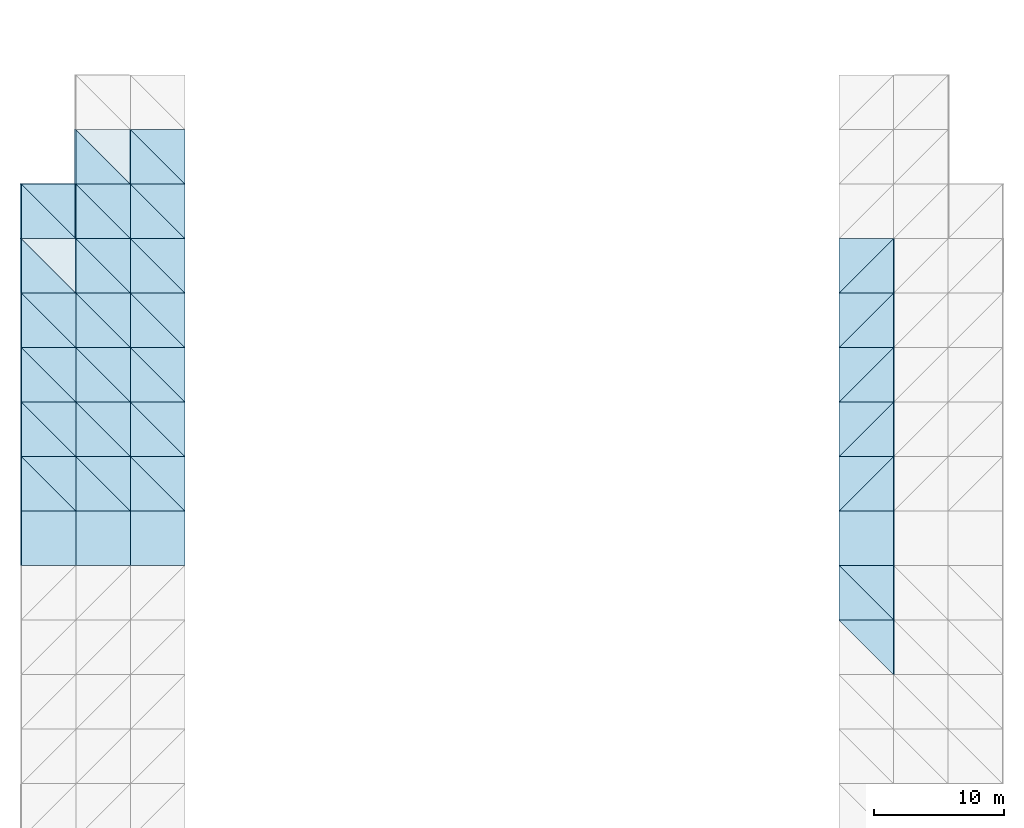
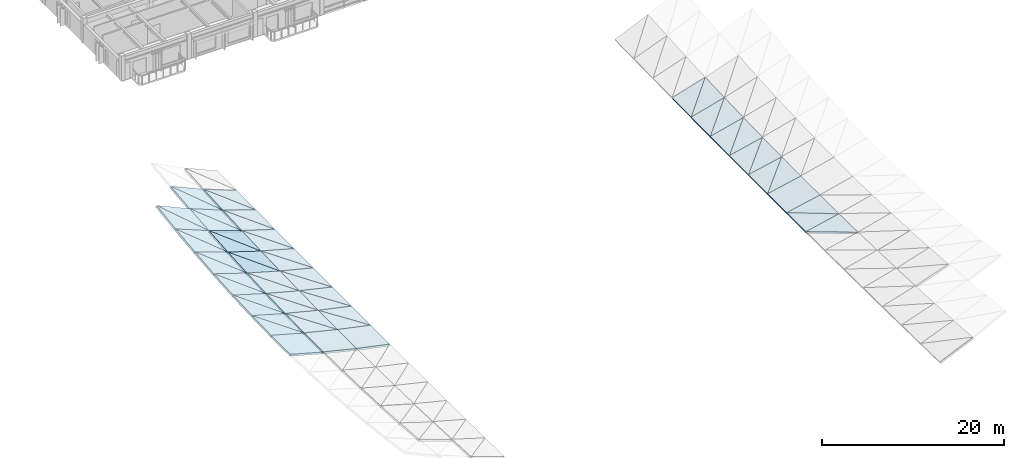
# One storey, part 9 of 24: 57 slabs.
"""IFC4 building model written with IfcOpenShell, lengths in metres."""

from ifc_helpers import new_model, si_unit, direction, frame, origin, place, context, subcontext, project, spatial, polyline, outline, extrude, material, layer, layer_set, type_object, element, save


model = new_model("IFC4")

# Units and contexts
model_context = context("Model", 3, precision=1e-05, world=origin(), true_north=direction((0.0, 1.0)))
body_context = subcontext(model_context, "Body", "Model", "MODEL_VIEW")
ifc_project = project(units=[si_unit("LENGTHUNIT", "METRE"), si_unit("AREAUNIT", "SQUARE_METRE"), si_unit("VOLUMEUNIT", "CUBIC_METRE"), si_unit("PLANEANGLEUNIT", "RADIAN"), si_unit("MASSUNIT", "GRAM", prefix="KILO")], contexts=[model_context])

# Site, building, storey
site_placement = place(None, origin())
site = spatial("IfcSite", under=ifc_project, at=site_placement, CompositionType="ELEMENT")
building_placement = place(site_placement, origin())
building = spatial("IfcBuilding", under=site, at=building_placement, Name="Cumbredor Promenade Congress Hotel", CompositionType="ELEMENT")
storey_placement = place(building_placement, frame((0.0, 0.0, 35.280029296875)))
storey = spatial("IfcBuildingStorey", under=building, at=storey_placement, Name="L10", CompositionType="ELEMENT", Elevation=35.280029296875)

# Slabs
ifc_material = material(Name="Concrete C40/50", Category="concrete")
ifc_layer = layer(ifc_material, 0.25, Name="Concrete C40/50", Category="concrete")
ifc_layer_set = layer_set([ifc_layer], Name="Concrete C40/50")
slab_type = type_object("IfcSlabType", Name="Catenary Space Frame Roof Deck 250mm", PredefinedType="ROOF", material=ifc_layer_set)
slab_1_placement = place(storey_placement, frame((-4.199951171875, 33.60009765625, 3.232666015625), z_axis=(0.265946954374, 0.0, 0.963987664578), x_axis=(0.963987664578, 0.0, -0.265946954374)))
element("IfcSlab", 1, at=slab_1_placement, inside=storey, type_object=slab_type, Name="Plenary Congress Hall Sweeping Roof Deck Facet 1.9", PredefinedType="ROOF", context=body_context, shape_type="SweptSolid", body=[
    extrude(outline(polyline([(0.0, 0.0), (4.356851572070339, 0.0), (4.356851572070339, 4.199951171875), (0.0, 4.199951171875), (0.0, 0.0)])), origin(), (0.0, 0.0, -1.0), 0.25),
])
slab_2_placement = place(storey_placement, frame((-4.199951171875, 37.800048828125, 3.232666015625), z_axis=(0.265873330645, -0.023528613331, 0.963720797953), x_axis=(0.963987664578, 0.0, -0.265946954374)))
element("IfcSlab", 2, at=slab_2_placement, inside=storey, type_object=slab_type, Name="Plenary Congress Hall Sweeping Roof Deck Facet 1.10.1", PredefinedType="ROOF", context=body_context, shape_type="SweptSolid", body=[
    extrude(outline(polyline([(0.0, 0.0), (4.356851572070339, 3.469446951953614e-18), (-0.027269951376200682, 4.201114192119099), (0.0, 0.0)])), origin(), (0.0, 0.0, -1.0), 0.25),
])
slab_3_placement = place(storey_placement, frame((0.0, 37.800048828125, 2.073974609375), z_axis=(0.27349250288, -0.015318263653, 0.961752151891), x_axis=(0.0, 0.999873182225, 0.015925434629)))
element("IfcSlab", 3, at=slab_3_placement, inside=storey, type_object=slab_type, Name="Plenary Congress Hall Sweeping Roof Deck Facet 1.10.2", PredefinedType="ROOF", context=body_context, shape_type="SweptSolid", body=[
    extrude(outline(polyline([(0.0, 0.0), (4.2004838678949055, -6.938893903907228e-18), (4.2195041867931025, 4.3664248997557715), (0.0, 0.0)])), origin(), (0.0, 0.0, -1.0), 0.25),
])
slab_4_placement = place(storey_placement, frame((-4.199951171875, 42.0, 3.335205078125), z_axis=(0.273224130767, -0.046859167153, 0.960808405885), x_axis=(0.96186500894, 0.0, -0.273524595927)))
element("IfcSlab", 4, at=slab_4_placement, inside=storey, type_object=slab_type, Name="Plenary Congress Hall Sweeping Roof Deck Facet 1.11.1", PredefinedType="ROOF", context=body_context, shape_type="SweptSolid", body=[
    extrude(outline(polyline([(0.0, 0.0), (4.366466326188511, 6.938893903907228e-18), (-0.05602713280830973, 4.204569867141989), (0.0, 0.0)])), origin(), (0.0, 0.0, -1.0), 0.25),
])
slab_5_placement = place(storey_placement, frame((0.0, 42.0, 2.140869140625), z_axis=(0.28829058045, -0.030542556671, 0.957055742084), x_axis=(0.0, 0.999491167619, 0.031896800036)))
element("IfcSlab", 5, at=slab_5_placement, inside=storey, type_object=slab_type, Name="Plenary Congress Hall Sweeping Roof Deck Facet 1.11.2", PredefinedType="ROOF", context=body_context, shape_type="SweptSolid", body=[
    extrude(outline(polyline([(0.0, 0.0), (4.202089330996443, -6.938893903907228e-18), (4.242443143932853, 4.386175137069335), (0.0, 0.0)])), origin(), (0.0, 0.0, -1.0), 0.25),
])
slab_6_placement = place(storey_placement, frame((-4.199951171875, 46.199951171875, 3.5400390625), z_axis=(0.287720702689, -0.069848059433, 0.955163884283), x_axis=(0.957502448296, 0.0, -0.288425140212)))
element("IfcSlab", 6, at=slab_6_placement, inside=storey, type_object=slab_type, Name="Plenary Congress Hall Sweeping Roof Deck Facet 1.12.1", PredefinedType="ROOF", context=body_context, shape_type="SweptSolid", body=[
    extrude(outline(polyline([(0.0, 0.0), (4.386360765288658, -1.3877787807814457e-17), (-0.08858369784839869, 4.210234071837814), (0.0, 0.0)])), origin(), (0.0, 0.0, -1.0), 0.25),
])
slab_7_placement = place(storey_placement, frame((0.0, 46.199951171875, 2.27490234375), z_axis=(0.310066019111, -0.045430716348, 0.949628934798), x_axis=(0.0, 0.998857604206, 0.047785840159)))
element("IfcSlab", 7, at=slab_7_placement, inside=storey, type_object=slab_type, Name="Plenary Congress Hall Sweeping Roof Deck Facet 1.12.2", PredefinedType="ROOF", context=body_context, shape_type="SweptSolid", body=[
    extrude(outline(polyline([(0.0, 0.0), (4.204754665919911, 6.938893903907228e-18), (4.2702851991658, 4.417676222360634), (0.0, 0.0)])), origin(), (0.0, 0.0, -1.0), 0.25),
])
slab_8_placement = place(storey_placement, frame((-4.199951171875, 50.39990234375, 3.84716796875), z_axis=(0.309059321068, -0.092376791502, 0.94654575402), x_axis=(0.950610447719, 0.0, -0.31038649566)))
element("IfcSlab", 8, at=slab_8_placement, inside=storey, type_object=slab_type, Name="Plenary Congress Hall Sweeping Roof Deck Facet 1.13.1", PredefinedType="ROOF", context=body_context, shape_type="SweptSolid", body=[
    extrude(outline(polyline([(0.0, 0.0), (4.4181622261295495, -1.3877787807814457e-17), (-0.12723118315743667, 4.2182319550484175), (0.0, 0.0)])), origin(), (0.0, 0.0, -1.0), 0.25),
])
slab_9_placement = place(storey_placement, frame((0.0, 50.39990234375, 2.475830078125), z_axis=(0.338348277812, -0.059936239892, 0.939110265118), x_axis=(0.0, 0.997969553596, 0.063692778996)))
element("IfcSlab", 9, at=slab_9_placement, inside=storey, type_object=slab_type, Name="Plenary Congress Hall Sweeping Roof Deck Facet 1.13.2", PredefinedType="ROOF", context=body_context, shape_type="SweptSolid", body=[
    extrude(outline(polyline([(0.0, 0.0), (4.208740935399418, -2.7755575615628914e-17), (4.305119803616576, 4.463185582998934), (0.0, 0.0)])), origin(), (0.0, 0.0, -1.0), 0.25),
])
slab_10_placement = place(storey_placement, frame((-4.199951171875, 54.60009765625, 4.257080078125), z_axis=(0.336750452483, -0.113934446411, 0.934675384651), x_axis=(0.940801631192, 0.0, -0.338957653324)))
element("IfcSlab", 10, at=slab_10_placement, inside=storey, type_object=slab_type, Name="Plenary Congress Hall Sweeping Roof Deck Facet 1.14.1", PredefinedType="ROOF", context=body_context, shape_type="SweptSolid", body=[
    extrude(outline(polyline([(0.0, 0.0), (4.464226073411645, 5.551115123125783e-17), (-0.17353373999505817, 4.227479377666391), (0.0, 0.0)])), origin(), (0.0, 0.0, -1.0), 0.25),
])
slab_11_placement = place(storey_placement, frame((0.0, 54.60009765625, 2.743896484375), z_axis=(0.372315421461, -0.073785462696, 0.925168596763), x_axis=(0.0, 0.99683477873, 0.079501093787)))
element("IfcSlab", 11, at=slab_11_placement, inside=storey, type_object=slab_type, Name="Plenary Congress Hall Sweeping Roof Deck Facet 1.14.2", PredefinedType="ROOF", context=body_context, shape_type="SweptSolid", body=[
    extrude(outline(polyline([(0.0, 0.0), (4.213287158002059, 1.3877787807814457e-17), (4.347658757681646, 4.525291294734393), (0.0, 0.0)])), origin(), (0.0, 0.0, -1.0), 0.25),
])
slab_12_placement = place(storey_placement, frame((-4.199951171875, 58.800048828125, 4.76904296875), z_axis=(0.369938178331, -0.134552120907, 0.919261372501), x_axis=(0.927697372163, 0.0, -0.373333076061)))
element("IfcSlab", 12, at=slab_12_placement, inside=storey, type_object=slab_type, Name="Plenary Congress Hall Sweeping Roof Deck Facet 1.15.1", PredefinedType="ROOF", context=body_context, shape_type="SweptSolid", body=[
    extrude(outline(polyline([(0.0, 0.0), (4.527285834691613, 0.0), (-0.22950505017646855, 4.238493840724388), (0.0, 0.0)])), origin(), (0.0, 0.0, -1.0), 0.25),
])
slab_13_placement = place(storey_placement, frame((0.0, 58.800048828125, 3.078857421875), z_axis=(0.411167038919, -0.086822443369, 0.907415852536), x_axis=(0.0, 0.995453765838, 0.095245997708)))
element("IfcSlab", 13, at=slab_13_placement, inside=storey, type_object=slab_type, Name="Plenary Congress Hall Sweeping Roof Deck Facet 1.15.2", PredefinedType="ROOF", context=body_context, shape_type="SweptSolid", body=[
    extrude(outline(polyline([(0.0, 0.0), (4.2191323354332555, 2.7755575615628914e-17), (4.400392724137619, 4.607432412263835), (0.0, 0.0)])), origin(), (0.0, 0.0, -1.0), 0.25),
])
slab_14_placement = place(storey_placement, frame((0.0, 33.60009765625, 2.073974609375), z_axis=(0.236537490812, 0.0, 0.971622362567), x_axis=(0.971622362567, 0.0, -0.236537490812)))
element("IfcSlab", 14, at=slab_14_placement, inside=storey, type_object=slab_type, Name="Plenary Congress Hall Sweeping Roof Deck Facet 2.9", PredefinedType="ROOF", context=body_context, shape_type="SweptSolid", body=[
    extrude(outline(polyline([(0.0, 0.0), (4.322616824892945, 0.0), (4.322616824892945, 4.199951171875), (0.0, 4.199951171875), (0.0, 0.0)])), origin(), (0.0, 0.0, -1.0), 0.25),
])
slab_15_placement = place(storey_placement, frame((0.0, 37.800048828125, 2.073974609375), z_axis=(0.236509171692, -0.015473618205, 0.971506036443), x_axis=(0.971622362567, 0.0, -0.236537490812)))
element("IfcSlab", 15, at=slab_15_placement, inside=storey, type_object=slab_type, Name="Plenary Congress Hall Sweeping Roof Deck Facet 2.10.1", PredefinedType="ROOF", context=body_context, shape_type="SweptSolid", body=[
    extrude(outline(polyline([(0.0, 0.0), (4.322616824892945, 0.0), (-0.01582306457089034, 4.200454065344952), (0.0, 0.0)])), origin(), (0.0, 0.0, -1.0), 0.25),
])
slab_16_placement = place(storey_placement, frame((4.199951171875, 37.800048828125, 1.051513671875), z_axis=(0.243336544081, -0.008231495699, 0.969906989764), x_axis=(0.0, 0.999963988279, 0.008486586194)))
element("IfcSlab", 16, at=slab_16_placement, inside=storey, type_object=slab_type, Name="Plenary Congress Hall Sweeping Roof Deck Facet 2.10.2", PredefinedType="ROOF", context=body_context, shape_type="SweptSolid", body=[
    extrude(outline(polyline([(0.0, 0.0), (4.200102424791831, -1.734723475976807e-18), (4.209044833486078, 4.330105843887429), (0.0, 0.0)])), origin(), (0.0, 0.0, -1.0), 0.25),
])
slab_17_placement = place(storey_placement, frame((0.0, 42.0, 2.140869140625), z_axis=(0.243228293779, -0.030938909473, 0.969475518508), x_axis=(0.969939850681, 0.0, -0.24334478844)))
element("IfcSlab", 17, at=slab_17_placement, inside=storey, type_object=slab_type, Name="Plenary Congress Hall Sweeping Roof Deck Facet 2.11.1", PredefinedType="ROOF", context=body_context, shape_type="SweptSolid", body=[
    extrude(outline(polyline([(0.0, 0.0), (4.330115077678804, 6.938893903907228e-18), (-0.03261628145843193, 4.201962746605205), (0.0, 0.0)])), origin(), (0.0, 0.0, -1.0), 0.25),
])
slab_18_placement = place(storey_placement, frame((4.199951171875, 42.0, 1.087158203125), z_axis=(0.256816551653, -0.016458278573, 0.966320021454), x_axis=(0.0, 0.999854988518, 0.017029443215)))
element("IfcSlab", 18, at=slab_18_placement, inside=storey, type_object=slab_type, Name="Plenary Congress Hall Sweeping Roof Deck Facet 2.11.2", PredefinedType="ROOF", context=body_context, shape_type="SweptSolid", body=[
    extrude(outline(polyline([(0.0, 0.0), (4.200560301350703, 3.469446951953614e-18), (4.219568752127343, 4.345705395206616), (0.0, 0.0)])), origin(), (0.0, 0.0, -1.0), 0.25),
])
slab_19_placement = place(storey_placement, frame((0.0, 46.199951171875, 2.27490234375), z_axis=(0.256577242509, -0.046186148422, 0.965419576309), x_axis=(0.966450923984, 0.0, -0.256851341304)))
element("IfcSlab", 19, at=slab_19_placement, inside=storey, type_object=slab_type, Name="Plenary Congress Hall Sweeping Roof Deck Facet 2.12.1", PredefinedType="ROOF", context=body_context, shape_type="SweptSolid", body=[
    extrude(outline(polyline([(0.0, 0.0), (4.345746967223105, 6.938893903907228e-18), (-0.05160855807943676, 4.204437935956269), (0.0, 0.0)])), origin(), (0.0, 0.0, -1.0), 0.25),
])
slab_20_placement = place(storey_placement, frame((4.199951171875, 46.199951171875, 1.15869140625), z_axis=(0.27674721727, -0.024514130021, 0.960630019915), x_axis=(0.0, 0.999674554241, 0.025510499873)))
element("IfcSlab", 20, at=slab_20_placement, inside=storey, type_object=slab_type, Name="Plenary Congress Hall Sweeping Roof Deck Facet 2.12.2", PredefinedType="ROOF", context=body_context, shape_type="SweptSolid", body=[
    extrude(outline(polyline([(0.0, 0.0), (4.201318473155771, 3.469446951953614e-18), (4.2321851814979485, 4.370656994403266), (0.0, 0.0)])), origin(), (0.0, 0.0, -1.0), 0.25),
])
slab_21_placement = place(storey_placement, frame((0.0, 50.39990234375, 2.475830078125), z_axis=(0.276311274717, -0.061213104278, 0.959116799628), x_axis=(0.96091879181, 0.0, -0.276830409359)))
element("IfcSlab", 21, at=slab_21_placement, inside=storey, type_object=slab_type, Name="Plenary Congress Hall Sweeping Roof Deck Facet 2.13.1", PredefinedType="ROOF", context=body_context, shape_type="SweptSolid", body=[
    extrude(outline(polyline([(0.0, 0.0), (4.370765987376819, 2.7755575615628914e-17), (-0.07420893297771115, 4.208086654950569), (0.0, 0.0)])), origin(), (0.0, 0.0, -1.0), 0.25),
])
slab_22_placement = place(storey_placement, frame((4.199951171875, 50.39990234375, 1.265869140625), z_axis=(0.302809179907, -0.032388567125, 0.952500698836), x_axis=(0.0, 0.999422374374, 0.033984078645)))
element("IfcSlab", 22, at=slab_22_placement, inside=storey, type_object=slab_type, Name="Plenary Congress Hall Sweeping Roof Deck Facet 2.13.2", PredefinedType="ROOF", context=body_context, shape_type="SweptSolid", body=[
    extrude(outline(polyline([(0.0, 0.0), (4.202622855159053, 0.0), (4.247998569541257, 4.406847341504953), (0.0, 0.0)])), origin(), (0.0, 0.0, -1.0), 0.25),
])
slab_23_placement = place(storey_placement, frame((0.0, 54.60009765625, 2.743896484375), z_axis=(0.302096813544, -0.075786584052, 0.950259916509), x_axis=(0.953000688043, 0.0, -0.302968131309)))
element("IfcSlab", 23, at=slab_23_placement, inside=storey, type_object=slab_type, Name="Plenary Congress Hall Sweeping Roof Deck Facet 2.14.1", PredefinedType="ROOF", context=body_context, shape_type="SweptSolid", body=[
    extrude(outline(polyline([(0.0, 0.0), (4.407080943979243, 1.3877787807814457e-17), (-0.10148248929589372, 4.21206481195997), (0.0, 0.0)])), origin(), (0.0, 0.0, -1.0), 0.25),
])
slab_24_placement = place(storey_placement, frame((4.199951171875, 54.60009765625, 1.40869140625), z_axis=(0.334419623445, -0.040009941856, 0.941574596093), x_axis=(0.0, 0.999098410723, 0.04245427764)))
element("IfcSlab", 24, at=slab_24_placement, inside=storey, type_object=slab_type, Name="Plenary Congress Hall Sweeping Roof Deck Facet 2.14.2", PredefinedType="ROOF", context=body_context, shape_type="SweptSolid", body=[
    extrude(outline(polyline([(0.0, 0.0), (4.203741219880335, -6.938893903907228e-18), (4.267070232668337, 4.456539671257605), (0.0, 0.0)])), origin(), (0.0, 0.0, -1.0), 0.25),
])
slab_25_placement = place(storey_placement, frame((0.0, 58.800048828125, 3.078857421875), z_axis=(0.333335453959, -0.089798716402, 0.93852206456), x_axis=(0.942329136276, 0.0, -0.334687613942)))
element("IfcSlab", 25, at=slab_25_placement, inside=storey, type_object=slab_type, Name="Plenary Congress Hall Sweeping Roof Deck Facet 2.15.1", PredefinedType="ROOF", context=body_context, shape_type="SweptSolid", body=[
    extrude(outline(polyline([(0.0, 0.0), (4.456989612435006, 0.0), (-0.13449604798546777, 4.216988081199039), (0.0, 0.0)])), origin(), (0.0, 0.0, -1.0), 0.25),
])
slab_26_placement = place(storey_placement, frame((4.199951171875, 58.800048828125, 1.587158203125), z_axis=(0.370825600811, -0.047337144157, 0.92749531997), x_axis=(0.0, 0.998700120129, 0.050971266958)))
element("IfcSlab", 26, at=slab_26_placement, inside=storey, type_object=slab_type, Name="Plenary Congress Hall Sweeping Roof Deck Facet 2.15.2", PredefinedType="ROOF", context=body_context, shape_type="SweptSolid", body=[
    extrude(outline(polyline([(0.0, 0.0), (4.205417709706994, 0.0), (4.291008621361016, 4.522385881172351), (0.0, 0.0)])), origin(), (0.0, 0.0, -1.0), 0.25),
])
slab_27_placement = place(storey_placement, frame((0.0, 63.0, 3.480712890625), z_axis=(0.369264178227, -0.103080433585, 0.923589947374), x_axis=(0.928536237843, 0.0, -0.371241774335)))
element("IfcSlab", 27, at=slab_27_placement, inside=storey, type_object=slab_type, Name="Plenary Congress Hall Sweeping Roof Deck Facet 2.16.1", PredefinedType="ROOF", context=body_context, shape_type="SweptSolid", body=[
    extrude(outline(polyline([(0.0, 0.0), (4.523195757689998, 2.7755575615628914e-17), (-0.17401958171959558, 4.222444030867943), (0.0, 0.0)])), origin(), (0.0, 0.0, -1.0), 0.25),
])
slab_28_placement = place(storey_placement, frame((4.199951171875, 63.0, 1.801513671875), z_axis=(0.411197951808, -0.054163455448, 0.909935472725), x_axis=(0.0, 0.998233110761, 0.059419328339)))
element("IfcSlab", 28, at=slab_28_placement, inside=storey, type_object=slab_type, Name="Plenary Congress Hall Sweeping Roof Deck Facet 2.16.2", PredefinedType="ROOF", context=body_context, shape_type="SweptSolid", body=[
    extrude(outline(polyline([(0.0, 0.0), (4.207385155430173, 0.0), (4.320160023230216, 4.607502893355642), (0.0, 0.0)])), origin(), (0.0, 0.0, -1.0), 0.25),
])
slab_29_placement = place(storey_placement, frame((4.199951171875, 33.60009765625, 1.051513671875), z_axis=(0.206408909101, 0.0, 0.978465820683), x_axis=(0.978465820683, 0.0, -0.206408909101)))
element("IfcSlab", 29, at=slab_29_placement, inside=storey, type_object=slab_type, Name="Plenary Congress Hall Sweeping Roof Deck Facet 3.9", PredefinedType="ROOF", context=body_context, shape_type="SweptSolid", body=[
    extrude(outline(polyline([(0.0, 0.0), (4.292384141681474, 0.0), (4.292384141681474, 4.199951171875001), (0.0, 4.199951171875001), (0.0, 0.0)])), origin(), (0.0, 0.0, -1.0), 0.25),
])
slab_30_placement = place(storey_placement, frame((4.199951171875, 37.800048828125, 1.051513671875), z_axis=(0.20640179263, -0.008303847265, 0.978432085594), x_axis=(0.978465820683, 0.0, -0.206408909101)))
element("IfcSlab", 30, at=slab_30_placement, inside=storey, type_object=slab_type, Name="Plenary Congress Hall Sweeping Roof Deck Facet 3.10.1", PredefinedType="ROOF", context=body_context, shape_type="SweptSolid", body=[
    extrude(outline(polyline([(0.0, 0.0), (4.292384141681474, 0.0), (-0.007357348810713182, 4.2000959808271885), (0.0, 0.0)])), origin(), (0.0, 0.0, -1.0), 0.25),
])
slab_31_placement = place(storey_placement, frame((8.39990234375, 37.800048828125, 0.16552734375), z_axis=(0.212441015617, -0.001988084371, 0.977171869429), x_axis=(0.0, 0.999997930353, 0.00203452465)))
element("IfcSlab", 31, at=slab_31_placement, inside=storey, type_object=slab_type, Name="Plenary Congress Hall Sweeping Roof Deck Facet 3.10.2", PredefinedType="ROOF", context=body_context, shape_type="SweptSolid", body=[
    extrude(outline(polyline([(0.0, 0.0), (4.19995986431109, 4.336808689942018e-19), (4.201817560158948, 4.298059134581628), (0.0, 0.0)])), origin(), (0.0, 0.0, -1.0), 0.25),
])
slab_32_placement = place(storey_placement, frame((4.199951171875, 42.0, 1.087158203125), z_axis=(0.212412019054, -0.016640834648, 0.97703849299), x_axis=(0.977173800561, 0.0, -0.212441435453)))
element("IfcSlab", 32, at=slab_32_placement, inside=storey, type_object=slab_type, Name="Plenary Congress Hall Sweeping Roof Deck Facet 3.11.1", PredefinedType="ROOF", context=body_context, shape_type="SweptSolid", body=[
    extrude(outline(polyline([(0.0, 0.0), (4.298059536045824, 0.0), (-0.015196616354425528, 4.200532812410216), (0.0, 0.0)])), origin(), (0.0, 0.0, -1.0), 0.25),
])
slab_33_placement = place(storey_placement, frame((8.39990234375, 42.0, 0.174072265625), z_axis=(0.224431548464, -0.004021867729, 0.974481556847), x_axis=(0.0, 0.999991483272, 0.004127151968)))
element("IfcSlab", 33, at=slab_33_placement, inside=storey, type_object=slab_type, Name="Plenary Congress Hall Sweeping Roof Deck Facet 3.11.2", PredefinedType="ROOF", context=body_context, shape_type="SweptSolid", body=[
    extrude(outline(polyline([(0.0, 0.0), (4.199986942021189, -4.336808689942018e-19), (4.203979074857806, 4.309897270528752), (0.0, 0.0)])), origin(), (0.0, 0.0, -1.0), 0.25),
])
slab_34_placement = place(storey_placement, frame((4.199951171875, 46.199951171875, 1.15869140625), z_axis=(0.224364000125, -0.024860120155, 0.974188262028), x_axis=(0.974489438266, 0.0, -0.224433363623)))
element("IfcSlab", 34, at=slab_34_placement, inside=storey, type_object=slab_type, Name="Plenary Congress Hall Sweeping Roof Deck Facet 3.12.1", PredefinedType="ROOF", context=body_context, shape_type="SweptSolid", body=[
    extrude(outline(polyline([(0.0, 0.0), (4.309899119426785, 0.0), (-0.02405425943130454, 4.201249612375245), (0.0, 0.0)])), origin(), (0.0, 0.0, -1.0), 0.25),
])
slab_35_placement = place(storey_placement, frame((8.39990234375, 46.199951171875, 0.19140625), z_axis=(0.242226070658, -0.005978105586, 0.970201418751), x_axis=(0.0, 0.999981017169, 0.006161599013)))
element("IfcSlab", 35, at=slab_35_placement, inside=storey, type_object=slab_type, Name="Plenary Congress Hall Sweeping Roof Deck Facet 3.12.2", PredefinedType="ROOF", context=body_context, shape_type="SweptSolid", body=[
    extrude(outline(polyline([(0.0, 0.0), (4.200030900353339, 0.0), (4.206491854396465, 4.328865495080066), (0.0, 0.0)])), origin(), (0.0, 0.0, -1.0), 0.25),
])
slab_36_placement = place(storey_placement, frame((4.199951171875, 50.39990234375, 1.265869140625), z_axis=(0.242098683697, -0.032973107731, 0.969691188739), x_axis=(0.970218755622, 0.0, -0.242230399081)))
element("IfcSlab", 36, at=slab_36_placement, inside=storey, type_object=slab_type, Name="Plenary Congress Hall Sweeping Roof Deck Facet 3.13.1", PredefinedType="ROOF", context=body_context, shape_type="SweptSolid", body=[
    extrude(outline(polyline([(0.0, 0.0), (4.328870316655599, 0.0), (-0.03459589440004978, 4.202480456444253), (0.0, 0.0)])), origin(), (0.0, 0.0, -1.0), 0.25),
])
slab_37_placement = place(storey_placement, frame((8.39990234375, 50.39990234375, 0.21728515625), z_axis=(0.265626301846, -0.007845046558, 0.964044149929), x_axis=(0.0, 0.999966891032, 0.00813737298)))
element("IfcSlab", 37, at=slab_37_placement, inside=storey, type_object=slab_type, Name="Plenary Congress Hall Sweeping Roof Deck Facet 3.13.2", PredefinedType="ROOF", context=body_context, shape_type="SweptSolid", body=[
    extrude(outline(polyline([(0.0, 0.0), (4.200334381234972, -1.734723475976807e-18), (4.20975116539617, 4.356452052676101), (0.0, 0.0)])), origin(), (0.0, 0.0, -1.0), 0.25),
])
slab_38_placement = place(storey_placement, frame((4.199951171875, 54.60009765625, 1.40869140625), z_axis=(0.265411860785, -0.040931660387, 0.963265873647), x_axis=(0.964073817229, 0.0, -0.265634476177)))
element("IfcSlab", 38, at=slab_38_placement, inside=storey, type_object=slab_type, Name="Plenary Congress Hall Sweeping Roof Deck Facet 3.14.1", PredefinedType="ROOF", context=body_context, shape_type="SweptSolid", body=[
    extrude(outline(polyline([(0.0, 0.0), (4.356462230192035, 6.938893903907228e-18), (-0.04740693410279796, 4.203473899802398), (0.0, 0.0)])), origin(), (0.0, 0.0, -1.0), 0.25),
])
slab_39_placement = place(storey_placement, frame((8.39990234375, 54.60009765625, 0.25146484375), z_axis=(0.294110669038, -0.009833318553, 0.955720785692), x_axis=(0.0, 0.999947073439, 0.010288358542)))
element("IfcSlab", 39, at=slab_39_placement, inside=storey, type_object=slab_type, Name="Plenary Congress Hall Sweeping Roof Deck Facet 3.14.2", PredefinedType="ROOF", context=body_context, shape_type="SweptSolid", body=[
    extrude(outline(polyline([(0.0, 0.0), (4.200173472614002, 1.734723475976807e-18), (4.213470975085079, 4.39430526757785), (0.0, 0.0)])), origin(), (0.0, 0.0, -1.0), 0.25),
])
slab_40_placement = place(storey_placement, frame((4.199951171875, 58.800048828125, 1.587158203125), z_axis=(0.293775578441, -0.048722130312, 0.954631899493), x_axis=(0.95576699535, 0.0, -0.29412488946)))
element("IfcSlab", 40, at=slab_40_placement, inside=storey, type_object=slab_type, Name="Plenary Congress Hall Sweeping Roof Deck Facet 3.15.1", PredefinedType="ROOF", context=body_context, shape_type="SweptSolid", body=[
    extrude(outline(polyline([(0.0, 0.0), (4.3943253871594905, 6.938893903907228e-18), (-0.06304727855126187, 4.204945083325643), (0.0, 0.0)])), origin(), (0.0, 0.0, -1.0), 0.25),
])
slab_41_placement = place(storey_placement, frame((8.39990234375, 58.800048828125, 0.294677734375), z_axis=(0.327339266425, -0.01164361149, 0.944835134279), x_axis=(0.0, 0.99992407516, 0.012322496305)))
element("IfcSlab", 41, at=slab_41_placement, inside=storey, type_object=slab_type, Name="Plenary Congress Hall Sweeping Roof Deck Facet 3.15.2", PredefinedType="ROOF", context=body_context, shape_type="SweptSolid", body=[
    extrude(outline(polyline([(0.0, 0.0), (4.2002700767080405, 0.0), (4.218200271526757, 4.444830784642028), (0.0, 0.0)])), origin(), (0.0, 0.0, -1.0), 0.25),
])
slab_42_placement = place(storey_placement, frame((4.199951171875, 63.0, 1.801513671875), z_axis=(0.326844885667, -0.056155899819, 0.943408149015), x_axis=(0.944899188184, 0.0, -0.327361457977)))
element("IfcSlab", 42, at=slab_42_placement, inside=storey, type_object=slab_type, Name="Plenary Congress Hall Sweeping Roof Deck Facet 3.16.1", PredefinedType="ROOF", context=body_context, shape_type="SweptSolid", body=[
    extrude(outline(polyline([(0.0, 0.0), (4.444866949188435, 0.0), (-0.08184036449424405, 4.20658911719146), (0.0, 0.0)])), origin(), (0.0, 0.0, -1.0), 0.25),
])
slab_43_placement = place(storey_placement, frame((8.39990234375, 63.0, 0.346435546875), z_axis=(0.364619815794, -0.013368130399, 0.93106051523), x_axis=(0.0, 0.999896940415, 0.014356481095)))
element("IfcSlab", 43, at=slab_43_placement, inside=storey, type_object=slab_type, Name="Plenary Congress Hall Sweeping Roof Deck Facet 3.16.2", PredefinedType="ROOF", context=body_context, shape_type="SweptSolid", body=[
    extrude(outline(polyline([(0.0, 0.0), (4.200384061714749, 0.0), (4.223997248516269, 4.510467641957859), (0.0, 0.0)])), origin(), (0.0, 0.0, -1.0), 0.25),
])
slab_44_placement = place(storey_placement, frame((63.0, 25.199951171875, 1.15869140625), z_axis=(-0.212412019054, 0.016640834648, 0.97703849299), x_axis=(0.0, 0.999854988518, -0.017029443215)))
element("IfcSlab", 44, at=slab_44_placement, inside=storey, type_object=slab_type, Name="Plenary Congress Hall Sweeping Roof Deck Facet 16.7.2", PredefinedType="ROOF", context=body_context, shape_type="SweptSolid", body=[
    extrude(outline(polyline([(0.0, 0.0), (4.200560301350703, 1.734723475976807e-18), (4.216109646474202, 4.298031409059345), (0.0, 0.0)])), origin(), (0.0, 0.0, -1.0), 0.25),
])
slab_45_placement = place(storey_placement, frame((58.800048828125, 29.39990234375, 0.174072265625), z_axis=(-0.212441015666, 0.001987968812, 0.977171869654), x_axis=(0.977173800561, 0.0, 0.212441435453)))
element("IfcSlab", 45, at=slab_45_placement, inside=storey, type_object=slab_type, Name="Plenary Congress Hall Sweeping Roof Deck Facet 16.8.1", PredefinedType="ROOF", context=body_context, shape_type="SweptSolid", body=[
    extrude(outline(polyline([(0.0, 0.0), (4.298059536045824, -2.168404344971009e-19), (-0.0018152954689586809, 4.200203612152533), (0.0, 0.0)])), origin(), (0.0, 0.0, -1.0), 0.25),
])
slab_46_placement = place(storey_placement, frame((63.0, 29.39990234375, 1.087158203125), z_axis=(-0.206401793458, 0.008303364629, 0.978432089515), x_axis=(0.0, 0.999963992465, -0.008486092938)))
element("IfcSlab", 46, at=slab_46_placement, inside=storey, type_object=slab_type, Name="Plenary Congress Hall Sweeping Roof Deck Facet 16.8.2", PredefinedType="ROOF", context=body_context, shape_type="SweptSolid", body=[
    extrude(outline(polyline([(0.0, 0.0), (4.200346556625418, -1.734723475976807e-18), (4.207865118947404, 4.292377556900048), (0.0, 0.0)])), origin(), (0.0, 0.0, -1.0), 0.25),
])
slab_47_placement = place(storey_placement, frame((58.800048828125, 33.60009765625, 0.16552734375), z_axis=(-0.206408909101, 0.0, 0.978465820683), x_axis=(0.978465820683, 0.0, 0.206408909101)))
element("IfcSlab", 47, at=slab_47_placement, inside=storey, type_object=slab_type, Name="Plenary Congress Hall Sweeping Roof Deck Facet 16.9", PredefinedType="ROOF", context=body_context, shape_type="SweptSolid", body=[
    extrude(outline(polyline([(0.0, 0.0), (4.292384141681474, 0.0), (4.292384141681474, 4.199951171875001), (0.0, 4.199951171875001), (0.0, 0.0)])), origin(), (0.0, 0.0, -1.0), 0.25),
])
slab_48_placement = place(storey_placement, frame((58.800048828125, 37.800048828125, 0.16552734375), z_axis=(-0.20640179263, -0.008303847265, 0.978432085594), x_axis=(0.978465820683, 0.0, 0.206408909101)))
element("IfcSlab", 48, at=slab_48_placement, inside=storey, type_object=slab_type, Name="Plenary Congress Hall Sweeping Roof Deck Facet 16.10.1", PredefinedType="ROOF", context=body_context, shape_type="SweptSolid", body=[
    extrude(outline(polyline([(0.0, 0.0), (4.292384141681474, 0.0), (4.299741490492187, 4.2000959808271885), (0.0, 0.0)])), origin(), (0.0, 0.0, -1.0), 0.25),
])
slab_49_placement = place(storey_placement, frame((58.800048828125, 37.800048828125, 0.16552734375), z_axis=(-0.212441015617, -0.001988084371, 0.977171869429), x_axis=(0.698745101566, 0.698745101566, 0.153331556032)))
element("IfcSlab", 49, at=slab_49_placement, inside=storey, type_object=slab_type, Name="Plenary Congress Hall Sweeping Roof Deck Facet 16.10.2", PredefinedType="ROOF", context=body_context, shape_type="SweptSolid", body=[
    extrude(outline(polyline([(0.0, 0.0), (6.010705710082692, 2.7755575615628914e-17), (2.9360055143312533, 3.003253982206718), (0.0, 0.0)])), origin(), (0.0, 0.0, -1.0), 0.25),
])
slab_50_placement = place(storey_placement, frame((58.800048828125, 42.0, 0.174072265625), z_axis=(-0.212412019054, -0.016640834648, 0.97703849299), x_axis=(0.977173800561, 0.0, 0.212441435453)))
element("IfcSlab", 50, at=slab_50_placement, inside=storey, type_object=slab_type, Name="Plenary Congress Hall Sweeping Roof Deck Facet 16.11.1", PredefinedType="ROOF", context=body_context, shape_type="SweptSolid", body=[
    extrude(outline(polyline([(0.0, 0.0), (4.298059536045824, 0.0), (4.31325615240025, 4.200532812410216), (0.0, 0.0)])), origin(), (0.0, 0.0, -1.0), 0.25),
])
slab_51_placement = place(storey_placement, frame((58.800048828125, 42.0, 0.174072265625), z_axis=(-0.224431548464, -0.004021867729, 0.974481556847), x_axis=(0.697586866805, 0.697586866805, 0.163539373006)))
element("IfcSlab", 51, at=slab_51_placement, inside=storey, type_object=slab_type, Name="Plenary Congress Hall Sweeping Roof Deck Facet 16.11.2", PredefinedType="ROOF", context=body_context, shape_type="SweptSolid", body=[
    extrude(outline(polyline([(0.0, 0.0), (6.020685554349562, -8.326672684688674e-17), (2.9326655676573736, 3.0065533391951247), (0.0, 0.0)])), origin(), (0.0, 0.0, -1.0), 0.25),
])
slab_52_placement = place(storey_placement, frame((58.800048828125, 46.199951171875, 0.19140625), z_axis=(-0.224364000125, -0.024860120155, 0.974188262028), x_axis=(0.974489438266, 0.0, 0.224433363623)))
element("IfcSlab", 52, at=slab_52_placement, inside=storey, type_object=slab_type, Name="Plenary Congress Hall Sweeping Roof Deck Facet 16.12.1", PredefinedType="ROOF", context=body_context, shape_type="SweptSolid", body=[
    extrude(outline(polyline([(0.0, 0.0), (4.309899119426785, 0.0), (4.333953378858089, 4.201249612375245), (0.0, 0.0)])), origin(), (0.0, 0.0, -1.0), 0.25),
])
slab_53_placement = place(storey_placement, frame((58.800048828125, 46.199951171875, 0.19140625), z_axis=(-0.242226070658, -0.005978105586, 0.970201418751), x_axis=(0.695813577961, 0.695813577961, 0.1780082286)))
element("IfcSlab", 53, at=slab_53_placement, inside=storey, type_object=slab_type, Name="Plenary Congress Hall Sweeping Roof Deck Facet 16.12.2", PredefinedType="ROOF", context=body_context, shape_type="SweptSolid", body=[
    extrude(outline(polyline([(0.0, 0.0), (6.036029340187024, 2.7755575615628914e-16), (2.926989710424827, 3.012140567601399), (0.0, 0.0)])), origin(), (0.0, 0.0, -1.0), 0.25),
])
slab_54_placement = place(storey_placement, frame((58.800048828125, 50.39990234375, 0.21728515625), z_axis=(-0.242098683697, -0.032973107731, 0.969691188739), x_axis=(0.970218755622, 0.0, 0.242230399081)))
element("IfcSlab", 54, at=slab_54_placement, inside=storey, type_object=slab_type, Name="Plenary Congress Hall Sweeping Roof Deck Facet 16.13.1", PredefinedType="ROOF", context=body_context, shape_type="SweptSolid", body=[
    extrude(outline(polyline([(0.0, 0.0), (4.328870316655599, 0.0), (4.363466211055648, 4.202480456444253), (0.0, 0.0)])), origin(), (0.0, 0.0, -1.0), 0.25),
])
slab_55_placement = place(storey_placement, frame((58.800048828125, 50.39990234375, 0.21728515625), z_axis=(-0.265626301846, -0.007845046558, 0.964044149929), x_axis=(0.693277634126, 0.693317933936, 0.196663073565)))
element("IfcSlab", 55, at=slab_55_placement, inside=storey, type_object=slab_type, Name="Plenary Congress Hall Sweeping Roof Deck Facet 16.13.2", PredefinedType="ROOF", context=body_context, shape_type="SweptSolid", body=[
    extrude(outline(polyline([(0.0, 0.0), (6.058108563059945, 9.992007221626409e-16), (2.918792618586911, 3.020506342298778), (0.0, 0.0)])), origin(), (0.0, 0.0, -1.0), 0.25),
])
slab_56_placement = place(storey_placement, frame((58.800048828125, 54.60009765625, 0.25146484375), z_axis=(-0.265411860785, -0.040931660387, 0.963265873647), x_axis=(0.964073817229, 0.0, 0.265634476177)))
element("IfcSlab", 56, at=slab_56_placement, inside=storey, type_object=slab_type, Name="Plenary Congress Hall Sweeping Roof Deck Facet 16.14.1", PredefinedType="ROOF", context=body_context, shape_type="SweptSolid", body=[
    extrude(outline(polyline([(0.0, 0.0), (4.356462230192035, -6.938893903907228e-18), (4.403869164294833, 4.203473899802399), (0.0, 0.0)])), origin(), (0.0, 0.0, -1.0), 0.25),
])
slab_57_placement = place(storey_placement, frame((58.800048828125, 54.60009765625, 0.25146484375), z_axis=(-0.294110669038, -0.009833318553, 0.955720785692), x_axis=(0.689878251711, 0.689878251711, 0.219399169628)))
element("IfcSlab", 57, at=slab_57_placement, inside=storey, type_object=slab_type, Name="Plenary Congress Hall Sweeping Roof Deck Facet 16.14.2", PredefinedType="ROOF", context=body_context, shape_type="SweptSolid", body=[
    extrude(outline(polyline([(0.0, 0.0), (6.0879599573705185, 1.6653345369377348e-16), (2.9069358440434176, 3.031696092728613), (0.0, 0.0)])), origin(), (0.0, 0.0, -1.0), 0.25),
])

save(model, "model.ifc")
